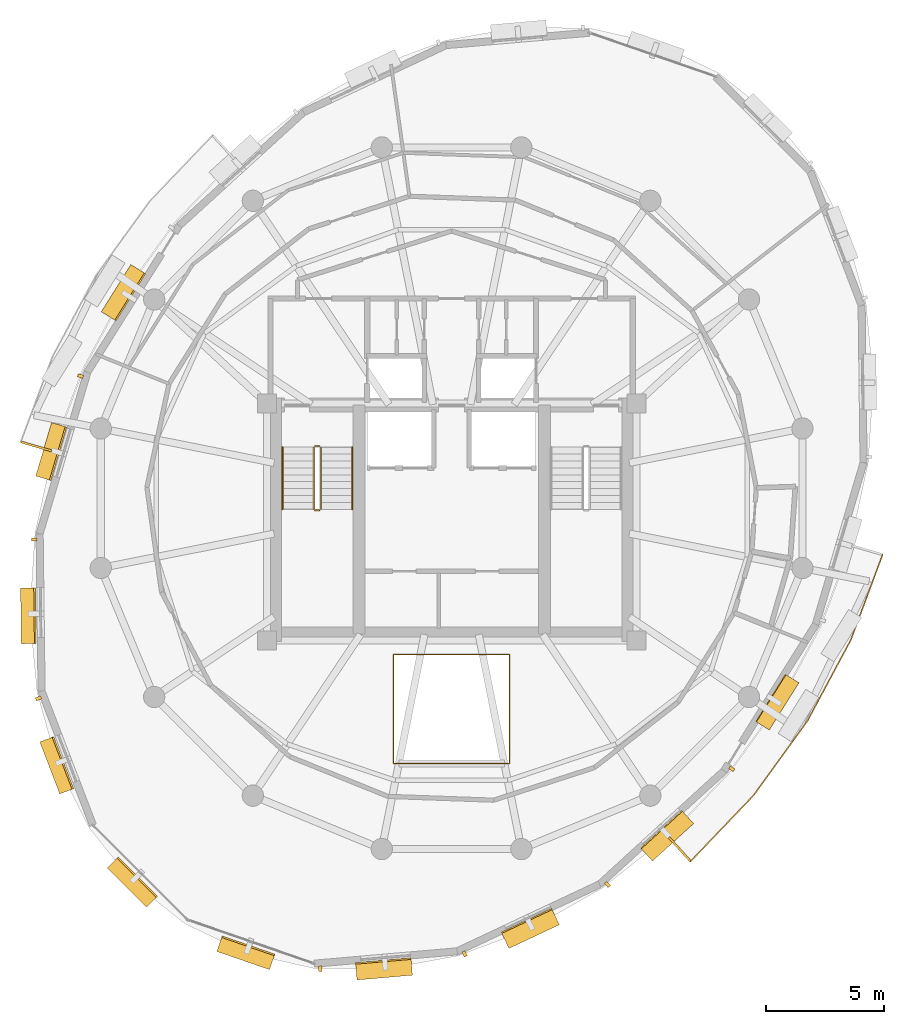
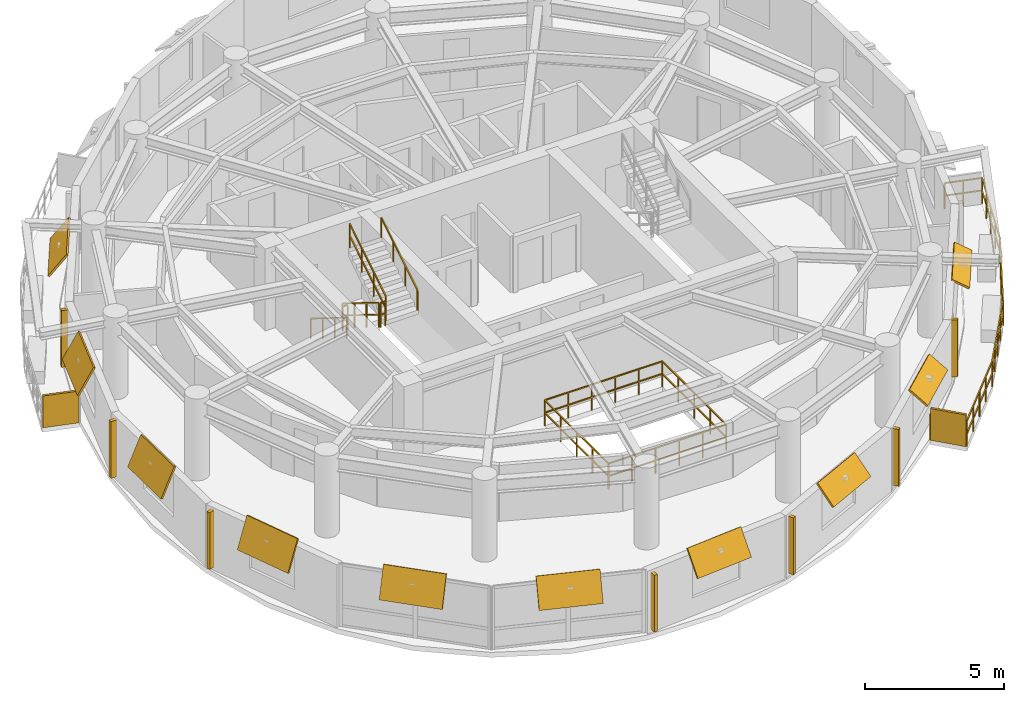
# One storey, part 10 of 11: 19 shading devices, 8 railings.
"""IFC4 building model written with IfcOpenShell, lengths in metres."""

from ifc_helpers import new_model, si_unit, direction, frame, origin, origin_2d, place, context, subcontext, project, spatial, rectangle, extrude, material, layer, layer_set, type_object, element, save


model = new_model("IFC4")

# Units and contexts
model_context = context("Model", 3, precision=1e-05, world=origin(), true_north=direction((0.0, 1.0)))
body_context = subcontext(model_context, "Body", "Model", "MODEL_VIEW")
ifc_project = project(units=[si_unit("LENGTHUNIT", "METRE"), si_unit("AREAUNIT", "SQUARE_METRE"), si_unit("VOLUMEUNIT", "CUBIC_METRE"), si_unit("PLANEANGLEUNIT", "RADIAN"), si_unit("MASSUNIT", "GRAM", prefix="KILO"), si_unit("THERMODYNAMICTEMPERATUREUNIT", "KELVIN"), si_unit("POWERUNIT", "WATT")], contexts=[model_context])

# Site, building, storey
site_placement = place(None, origin())
site = spatial("IfcSite", under=ifc_project, at=site_placement, CompositionType="ELEMENT")
building_placement = place(site_placement, origin())
building = spatial("IfcBuilding", under=site, at=building_placement, Name="Ocrelia Relay Tower", CompositionType="ELEMENT")
storey_placement = place(building_placement, frame((0.0, 0.0, 270.0)))
storey = spatial("IfcBuildingStorey", under=building, at=storey_placement, Name="L67", CompositionType="ELEMENT", Elevation=270.0)

# Railings
ifc_material_1 = material(Name="Steel S355 balustrade", Category="steel")
railing_type_1 = type_object("IfcRailingType", Name="RL-EXT-GUARD-1150", PredefinedType="GUARDRAIL", material=ifc_material_1)
railing_1_placement = place(storey_placement, frame((50.859130859375, 24.009033203125, 0.0)))
element("IfcRailing", 1, at=railing_1_placement, inside=storey, type_object=railing_type_1, Name="L67 Loggia Balcony Guard Rail B2", PredefinedType="GUARDRAIL", context=body_context, shape_type="SweptSolid", body=[
    extrude(rectangle(XDim=0.048095703125, YDim=0.048095703125, at=origin_2d()), frame((0.0, 0.0, 1.1259765625), z_axis=(0.95948817426, -0.281748901426, 0.0), x_axis=(0.281748901426, 0.95948817426, 0.0)), (0.0, 0.0, 1.0), 1.393310546875),
    extrude(rectangle(XDim=0.048095703125, YDim=0.048095703125, at=origin_2d()), frame((0.0, 0.0, 0.574951171875), z_axis=(0.95948817426, -0.281748901426, 0.0), x_axis=(0.281748901426, 0.95948817426, 0.0)), (0.0, 0.0, 1.0), 1.393310546875),
    extrude(rectangle(XDim=0.048095703125, YDim=0.048095703125, at=origin_2d()), frame((1.3369140625, -0.392578125, 1.1259765625), z_axis=(-0.348684374096, -0.937240207877, 0.0), x_axis=(0.937240207877, -0.348684374096, 0.0)), (0.0, 0.0, 1.0), 1.920654296875),
    extrude(rectangle(XDim=0.048095703125, YDim=0.048095703125, at=origin_2d()), frame((1.3369140625, -0.392578125, 0.574951171875), z_axis=(-0.348684374096, -0.937240207877, 0.0), x_axis=(0.937240207877, -0.348684374096, 0.0)), (0.0, 0.0, 1.0), 1.920654296875),
    extrude(rectangle(XDim=0.048095703125, YDim=0.048095703125, at=origin_2d()), frame((0.667236328125, -2.192626953125, 1.1259765625), z_axis=(-0.348754482201, -0.937214122357, 0.0), x_axis=(0.937214122357, -0.348754482201, 0.0)), (0.0, 0.0, 1.0), 1.9208984375),
    extrude(rectangle(XDim=0.048095703125, YDim=0.048095703125, at=origin_2d()), frame((0.667236328125, -2.192626953125, 0.574951171875), z_axis=(-0.348754482201, -0.937214122357, 0.0), x_axis=(0.937214122357, -0.348754482201, 0.0)), (0.0, 0.0, 1.0), 1.9208984375),
    extrude(rectangle(XDim=0.048095703125, YDim=0.048095703125, at=origin_2d()), frame((-0.002685546875, -3.992919921875, 1.1259765625), z_axis=(-0.472591384212, -0.881281670959, 0.0), x_axis=(0.881281670959, -0.472591384212, 0.0)), (0.0, 0.0, 1.0), 3.8818359375),
    extrude(rectangle(XDim=0.048095703125, YDim=0.048095703125, at=origin_2d()), frame((-0.002685546875, -3.992919921875, 0.574951171875), z_axis=(-0.472591384212, -0.881281670959, 0.0), x_axis=(0.881281670959, -0.472591384212, 0.0)), (0.0, 0.0, 1.0), 3.8818359375),
    extrude(rectangle(XDim=0.048095703125, YDim=0.048095703125, at=origin_2d()), frame((-1.837158203125, -7.413818359375, 1.1259765625), z_axis=(-0.58631916506, -0.810080142136, 0.0), x_axis=(0.810080142136, -0.58631916506, 0.0)), (0.0, 0.0, 1.0), 3.882080078125),
    extrude(rectangle(XDim=0.048095703125, YDim=0.048095703125, at=origin_2d()), frame((-1.837158203125, -7.413818359375, 0.574951171875), z_axis=(-0.58631916506, -0.810080142136, 0.0), x_axis=(0.810080142136, -0.58631916506, 0.0)), (0.0, 0.0, 1.0), 3.882080078125),
    extrude(rectangle(XDim=0.048095703125, YDim=0.048095703125, at=origin_2d()), frame((-4.11328125, -10.55859375, 1.1259765625), z_axis=(-0.690780996673, -0.723064046012, 0.0), x_axis=(0.723064046012, -0.690780996673, 0.0)), (0.0, 0.0, 1.0), 1.9208984375),
    extrude(rectangle(XDim=0.048095703125, YDim=0.048095703125, at=origin_2d()), frame((-4.11328125, -10.55859375, 0.574951171875), z_axis=(-0.690780996673, -0.723064046012, 0.0), x_axis=(0.723064046012, -0.690780996673, 0.0)), (0.0, 0.0, 1.0), 1.9208984375),
    extrude(rectangle(XDim=0.048095703125, YDim=0.048095703125, at=origin_2d()), frame((-5.440185546875, -11.947509765625, 1.1259765625), z_axis=(-0.690778029308, -0.72306688088, 0.0), x_axis=(0.72306688088, -0.690778029308, 0.0)), (0.0, 0.0, 1.0), 1.92041015625),
    extrude(rectangle(XDim=0.048095703125, YDim=0.048095703125, at=origin_2d()), frame((-5.440185546875, -11.947509765625, 0.574951171875), z_axis=(-0.690778029308, -0.72306688088, 0.0), x_axis=(0.72306688088, -0.690778029308, 0.0)), (0.0, 0.0, 1.0), 1.92041015625),
    extrude(rectangle(XDim=0.048095703125, YDim=0.048095703125, at=origin_2d()), frame((-6.766845703125, -13.336181640625, 1.1259765625), z_axis=(-0.672759991907, 0.739860793183, 0.0), x_axis=(-0.739860793183, -0.672759991907, 0.0)), (0.0, 0.0, 1.0), 1.3935546875),
    extrude(rectangle(XDim=0.048095703125, YDim=0.048095703125, at=origin_2d()), frame((-6.766845703125, -13.336181640625, 0.574951171875), z_axis=(-0.672759991907, 0.739860793183, 0.0), x_axis=(-0.739860793183, -0.672759991907, 0.0)), (0.0, 0.0, 1.0), 1.3935546875),
    extrude(rectangle(XDim=0.0419921875, YDim=0.0419921875, at=origin_2d()), origin(), (0.0, 0.0, 1.0), 1.101806640625),
    extrude(rectangle(XDim=0.0419921875, YDim=0.0419921875, at=origin_2d()), frame((0.66845703125, -0.1962890625, 0.0)), (0.0, 0.0, 1.0), 1.101806640625),
    extrude(rectangle(XDim=0.0419921875, YDim=0.0419921875, at=origin_2d()), frame((1.3369140625, -0.392578125, 0.0)), (0.0, 0.0, 1.0), 1.101806640625),
    extrude(rectangle(XDim=0.0419921875, YDim=0.0419921875, at=origin_2d()), frame((1.001953125, -1.29248046875, 0.0)), (0.0, 0.0, 1.0), 1.101806640625),
    extrude(rectangle(XDim=0.0419921875, YDim=0.0419921875, at=origin_2d()), frame((0.667236328125, -2.192626953125, 0.0)), (0.0, 0.0, 1.0), 1.101806640625),
    extrude(rectangle(XDim=0.0419921875, YDim=0.0419921875, at=origin_2d()), frame((0.332275390625, -3.0927734375, 0.0)), (0.0, 0.0, 1.0), 1.101806640625),
    extrude(rectangle(XDim=0.0419921875, YDim=0.0419921875, at=origin_2d()), frame((-0.002685546875, -3.992919921875, 0.0)), (0.0, 0.0, 1.0), 1.101806640625),
    extrude(rectangle(XDim=0.0419921875, YDim=0.0419921875, at=origin_2d()), frame((-0.46142578125, -4.84814453125, 0.0)), (0.0, 0.0, 1.0), 1.101806640625),
    extrude(rectangle(XDim=0.0419921875, YDim=0.0419921875, at=origin_2d()), frame((-0.919921875, -5.703369140625, 0.0)), (0.0, 0.0, 1.0), 1.101806640625),
    extrude(rectangle(XDim=0.0419921875, YDim=0.0419921875, at=origin_2d()), frame((-1.37841796875, -6.55859375, 0.0)), (0.0, 0.0, 1.0), 1.101806640625),
    extrude(rectangle(XDim=0.0419921875, YDim=0.0419921875, at=origin_2d()), frame((-1.837158203125, -7.413818359375, 0.0)), (0.0, 0.0, 1.0), 1.101806640625),
    extrude(rectangle(XDim=0.0419921875, YDim=0.0419921875, at=origin_2d()), frame((-2.40625, -8.199951171875, 0.0)), (0.0, 0.0, 1.0), 1.101806640625),
    extrude(rectangle(XDim=0.0419921875, YDim=0.0419921875, at=origin_2d()), frame((-2.97509765625, -8.986328125, 0.0)), (0.0, 0.0, 1.0), 1.101806640625),
    extrude(rectangle(XDim=0.0419921875, YDim=0.0419921875, at=origin_2d()), frame((-3.544189453125, -9.7724609375, 0.0)), (0.0, 0.0, 1.0), 1.101806640625),
    extrude(rectangle(XDim=0.0419921875, YDim=0.0419921875, at=origin_2d()), frame((-4.11328125, -10.55859375, 0.0)), (0.0, 0.0, 1.0), 1.101806640625),
    extrude(rectangle(XDim=0.0419921875, YDim=0.0419921875, at=origin_2d()), frame((-4.77685546875, -11.2529296875, 0.0)), (0.0, 0.0, 1.0), 1.101806640625),
    extrude(rectangle(XDim=0.0419921875, YDim=0.0419921875, at=origin_2d()), frame((-5.440185546875, -11.947509765625, 0.0)), (0.0, 0.0, 1.0), 1.101806640625),
    extrude(rectangle(XDim=0.0419921875, YDim=0.0419921875, at=origin_2d()), frame((-6.103515625, -12.641845703125, 0.0)), (0.0, 0.0, 1.0), 1.101806640625),
    extrude(rectangle(XDim=0.0419921875, YDim=0.0419921875, at=origin_2d()), frame((-6.766845703125, -13.336181640625, 0.0)), (0.0, 0.0, 1.0), 1.101806640625),
    extrude(rectangle(XDim=0.0419921875, YDim=0.0419921875, at=origin_2d()), frame((-7.235595703125, -12.82080078125, 0.0)), (0.0, 0.0, 1.0), 1.101806640625),
    extrude(rectangle(XDim=0.0419921875, YDim=0.0419921875, at=origin_2d()), frame((-7.704345703125, -12.30517578125, 0.0)), (0.0, 0.0, 1.0), 1.101806640625),
])
ifc_material_2 = material(Name="Steel S355 atrium balustrade", Category="steel")
railing_type_2 = type_object("IfcRailingType", Name="RL-INT-GUARD-115", PredefinedType="GUARDRAIL", material=ifc_material_2)
railing_2_placement = place(storey_placement, frame((31.550048828125, 14.800048828125, 0.0)))
element("IfcRailing", 2, at=railing_2_placement, inside=storey, type_object=railing_type_2, Name="L67 Multi-Zone Interior Atrium Guard", PredefinedType="GUARDRAIL", context=body_context, shape_type="SweptSolid", body=[
    extrude(rectangle(XDim=0.048095703125, YDim=0.048095703125, at=origin_2d()), frame((0.0, 0.0, 1.1259765625), z_axis=(1.0, 0.0, 0.0), x_axis=(0.0, 1.0, 0.0)), (0.0, 0.0, 1.0), 4.89990234375),
    extrude(rectangle(XDim=0.048095703125, YDim=0.048095703125, at=origin_2d()), frame((0.0, 0.0, 0.574951171875), z_axis=(1.0, 0.0, 0.0), x_axis=(0.0, 1.0, 0.0)), (0.0, 0.0, 1.0), 4.89990234375),
    extrude(rectangle(XDim=0.048095703125, YDim=0.048095703125, at=origin_2d()), frame((4.89990234375, 0.0, 1.1259765625), z_axis=(0.0, 1.0, 0.0), x_axis=(-1.0, 0.0, 0.0)), (0.0, 0.0, 1.0), 4.599853515625),
    extrude(rectangle(XDim=0.048095703125, YDim=0.048095703125, at=origin_2d()), frame((4.89990234375, 0.0, 0.574951171875), z_axis=(0.0, 1.0, 0.0), x_axis=(-1.0, 0.0, 0.0)), (0.0, 0.0, 1.0), 4.599853515625),
    extrude(rectangle(XDim=0.048095703125, YDim=0.048095703125, at=origin_2d()), frame((4.89990234375, 4.599853515625, 1.1259765625), z_axis=(-1.0, 0.0, 0.0), x_axis=(0.0, -1.0, 0.0)), (0.0, 0.0, 1.0), 4.89990234375),
    extrude(rectangle(XDim=0.048095703125, YDim=0.048095703125, at=origin_2d()), frame((4.89990234375, 4.599853515625, 0.574951171875), z_axis=(-1.0, 0.0, 0.0), x_axis=(0.0, -1.0, 0.0)), (0.0, 0.0, 1.0), 4.89990234375),
    extrude(rectangle(XDim=0.048095703125, YDim=0.048095703125, at=origin_2d()), frame((0.0, 4.599853515625, 1.1259765625), z_axis=(0.0, -1.0, 0.0), x_axis=(1.0, 0.0, 0.0)), (0.0, 0.0, 1.0), 4.599853515625),
    extrude(rectangle(XDim=0.048095703125, YDim=0.048095703125, at=origin_2d()), frame((0.0, 4.599853515625, 0.574951171875), z_axis=(0.0, -1.0, 0.0), x_axis=(1.0, 0.0, 0.0)), (0.0, 0.0, 1.0), 4.599853515625),
    extrude(rectangle(XDim=0.0419921875, YDim=0.0419921875, at=origin_2d()), origin(), (0.0, 0.0, 1.0), 1.101806640625),
    extrude(rectangle(XDim=0.0419921875, YDim=0.0419921875, at=origin_2d()), frame((0.97998046875, 0.0, 0.0)), (0.0, 0.0, 1.0), 1.101806640625),
    extrude(rectangle(XDim=0.0419921875, YDim=0.0419921875, at=origin_2d()), frame((1.9599609375, 0.0, 0.0)), (0.0, 0.0, 1.0), 1.101806640625),
    extrude(rectangle(XDim=0.0419921875, YDim=0.0419921875, at=origin_2d()), frame((2.93994140625, 0.0, 0.0)), (0.0, 0.0, 1.0), 1.101806640625),
    extrude(rectangle(XDim=0.0419921875, YDim=0.0419921875, at=origin_2d()), frame((3.919921875, 0.0, 0.0)), (0.0, 0.0, 1.0), 1.101806640625),
    extrude(rectangle(XDim=0.0419921875, YDim=0.0419921875, at=origin_2d()), frame((4.89990234375, 0.0, 0.0)), (0.0, 0.0, 1.0), 1.101806640625),
    extrude(rectangle(XDim=0.0419921875, YDim=0.0419921875, at=origin_2d()), frame((4.89990234375, 1.14990234375, 0.0)), (0.0, 0.0, 1.0), 1.101806640625),
    extrude(rectangle(XDim=0.0419921875, YDim=0.0419921875, at=origin_2d()), frame((4.89990234375, 2.2998046875, 0.0)), (0.0, 0.0, 1.0), 1.101806640625),
    extrude(rectangle(XDim=0.0419921875, YDim=0.0419921875, at=origin_2d()), frame((4.89990234375, 3.449951171875, 0.0)), (0.0, 0.0, 1.0), 1.101806640625),
    extrude(rectangle(XDim=0.0419921875, YDim=0.0419921875, at=origin_2d()), frame((4.89990234375, 4.599853515625, 0.0)), (0.0, 0.0, 1.0), 1.101806640625),
    extrude(rectangle(XDim=0.0419921875, YDim=0.0419921875, at=origin_2d()), frame((3.919921875, 4.599853515625, 0.0)), (0.0, 0.0, 1.0), 1.101806640625),
    extrude(rectangle(XDim=0.0419921875, YDim=0.0419921875, at=origin_2d()), frame((2.93994140625, 4.599853515625, 0.0)), (0.0, 0.0, 1.0), 1.101806640625),
    extrude(rectangle(XDim=0.0419921875, YDim=0.0419921875, at=origin_2d()), frame((1.9599609375, 4.599853515625, 0.0)), (0.0, 0.0, 1.0), 1.101806640625),
    extrude(rectangle(XDim=0.0419921875, YDim=0.0419921875, at=origin_2d()), frame((0.97998046875, 4.599853515625, 0.0)), (0.0, 0.0, 1.0), 1.101806640625),
    extrude(rectangle(XDim=0.0419921875, YDim=0.0419921875, at=origin_2d()), frame((0.0, 4.599853515625, 0.0)), (0.0, 0.0, 1.0), 1.101806640625),
    extrude(rectangle(XDim=0.0419921875, YDim=0.0419921875, at=origin_2d()), frame((0.0, 3.449951171875, 0.0)), (0.0, 0.0, 1.0), 1.101806640625),
    extrude(rectangle(XDim=0.0419921875, YDim=0.0419921875, at=origin_2d()), frame((0.0, 2.2998046875, 0.0)), (0.0, 0.0, 1.0), 1.101806640625),
    extrude(rectangle(XDim=0.0419921875, YDim=0.0419921875, at=origin_2d()), frame((0.0, 1.14990234375, 0.0)), (0.0, 0.0, 1.0), 1.101806640625),
])
railing_type_3 = type_object("IfcRailingType", Name="RL-STAIR-GUARD", PredefinedType="GUARDRAIL", material=ifc_material_1)
railing_3_placement = place(storey_placement, frame((28.179931640625, 28.14990234375, 0.179931640625)))
element("IfcRailing", 3, at=railing_3_placement, inside=storey, type_object=railing_type_3, Name="L67 ST1 stair guard 1", PredefinedType="GUARDRAIL", context=body_context, shape_type="SweptSolid", body=[
    extrude(rectangle(XDim=0.048095703125, YDim=0.048095703125, at=origin_2d()), frame((0.0, 0.0, 1.076171875), z_axis=(0.0, -0.849610693518, 0.52741034258), x_axis=(1.0, 0.0, 0.0)), (0.0, 0.0, 1.0), 3.07177734375),
    extrude(rectangle(XDim=0.048095703125, YDim=0.048095703125, at=origin_2d()), frame((0.0, 0.0, 0.550048828125), z_axis=(0.0, -0.849610693518, 0.52741034258), x_axis=(1.0, 0.0, 0.0)), (0.0, 0.0, 1.0), 3.07177734375),
    extrude(rectangle(XDim=0.0419921875, YDim=0.0419921875, at=origin_2d()), origin(), (0.0, 0.0, 1.0), 1.052001953125),
    extrude(rectangle(XDim=0.0419921875, YDim=0.0419921875, at=origin_2d()), frame((0.0, -0.869873046875, 0.5400390625)), (0.0, 0.0, 1.0), 1.052001953125),
    extrude(rectangle(XDim=0.0419921875, YDim=0.0419921875, at=origin_2d()), frame((0.0, -1.739990234375, 1.080078125)), (0.0, 0.0, 1.0), 1.052001953125),
    extrude(rectangle(XDim=0.0419921875, YDim=0.0419921875, at=origin_2d()), frame((0.0, -2.60986328125, 1.6201171875)), (0.0, 0.0, 1.0), 1.052001953125),
])
railing_4_placement = place(storey_placement, frame((28.22998046875, 25.489990234375, 1.800048828125)))
element("IfcRailing", 4, at=railing_4_placement, inside=storey, type_object=railing_type_3, Name="L67 ST1 stair guard 2", PredefinedType="GUARDRAIL", context=body_context, shape_type="SweptSolid", body=[
    extrude(rectangle(XDim=0.048095703125, YDim=0.048095703125, at=origin_2d()), frame((0.0, 0.0, 1.076171875), z_axis=(1.0, 0.0, 0.0), x_axis=(0.0, 1.0, 0.0)), (0.0, 0.0, 1.0), 0.199951171875),
    extrude(rectangle(XDim=0.048095703125, YDim=0.048095703125, at=origin_2d()), frame((0.0, 0.0, 0.550048828125), z_axis=(1.0, 0.0, 0.0), x_axis=(0.0, 1.0, 0.0)), (0.0, 0.0, 1.0), 0.199951171875),
    extrude(rectangle(XDim=0.0419921875, YDim=0.0419921875, at=origin_2d()), origin(), (0.0, 0.0, 1.0), 1.052001953125),
    extrude(rectangle(XDim=0.0419921875, YDim=0.0419921875, at=origin_2d()), frame((0.199951171875, 0.0, 0.0)), (0.0, 0.0, 1.0), 1.052001953125),
])
railing_5_placement = place(storey_placement, frame((28.47998046875, 25.5400390625, 1.97998046875)))
element("IfcRailing", 5, at=railing_5_placement, inside=storey, type_object=railing_type_3, Name="L67 ST1 stair guard 3", PredefinedType="GUARDRAIL", context=body_context, shape_type="SweptSolid", body=[
    extrude(rectangle(XDim=0.048095703125, YDim=0.048095703125, at=origin_2d()), frame((0.0, 0.0, 1.076171875), z_axis=(0.0, 0.849610693518, 0.52741034258), x_axis=(-1.0, 0.0, 0.0)), (0.0, 0.0, 1.0), 3.07177734375),
    extrude(rectangle(XDim=0.048095703125, YDim=0.048095703125, at=origin_2d()), frame((0.0, 0.0, 0.550048828125), z_axis=(0.0, 0.849610693518, 0.52741034258), x_axis=(-1.0, 0.0, 0.0)), (0.0, 0.0, 1.0), 3.07177734375),
    extrude(rectangle(XDim=0.0419921875, YDim=0.0419921875, at=origin_2d()), origin(), (0.0, 0.0, 1.0), 1.052001953125),
    extrude(rectangle(XDim=0.0419921875, YDim=0.0419921875, at=origin_2d()), frame((0.0, 0.869873046875, 0.5400390625)), (0.0, 0.0, 1.0), 1.052001953125),
    extrude(rectangle(XDim=0.0419921875, YDim=0.0419921875, at=origin_2d()), frame((0.0, 1.739990234375, 1.080078125)), (0.0, 0.0, 1.0), 1.052001953125),
    extrude(rectangle(XDim=0.0419921875, YDim=0.0419921875, at=origin_2d()), frame((0.0, 2.60986328125, 1.6201171875)), (0.0, 0.0, 1.0), 1.052001953125),
])
railing_6_placement = place(storey_placement, frame((28.22998046875, 28.199951171875, 0.0)))
element("IfcRailing", 6, at=railing_6_placement, inside=storey, type_object=railing_type_3, Name="L67 ST1 stair guard 4", PredefinedType="GUARDRAIL", context=body_context, shape_type="SweptSolid", body=[
    extrude(rectangle(XDim=0.048095703125, YDim=0.048095703125, at=origin_2d()), frame((0.0, 0.0, 1.076171875), z_axis=(1.0, 0.0, 0.0), x_axis=(0.0, 1.0, 0.0)), (0.0, 0.0, 1.0), 0.199951171875),
    extrude(rectangle(XDim=0.048095703125, YDim=0.048095703125, at=origin_2d()), frame((0.0, 0.0, 0.550048828125), z_axis=(1.0, 0.0, 0.0), x_axis=(0.0, 1.0, 0.0)), (0.0, 0.0, 1.0), 0.199951171875),
    extrude(rectangle(XDim=0.0419921875, YDim=0.0419921875, at=origin_2d()), origin(), (0.0, 0.0, 1.0), 1.052001953125),
    extrude(rectangle(XDim=0.0419921875, YDim=0.0419921875, at=origin_2d()), frame((0.199951171875, 0.0, 0.0)), (0.0, 0.0, 1.0), 1.052001953125),
])
ifc_material_3 = material(Name="Steel S355 tubular handrail", Category="steel")
railing_type_4 = type_object("IfcRailingType", Name="RL-STAIR-HAND", PredefinedType="HANDRAIL", material=ifc_material_3)
railing_7_placement = place(storey_placement, frame((26.860107421875, 28.14990234375, 0.179931640625)))
element("IfcRailing", 7, at=railing_7_placement, inside=storey, type_object=railing_type_4, Name="L67 ST1 stair handrail 1", PredefinedType="HANDRAIL", context=body_context, shape_type="SweptSolid", body=[
    extrude(rectangle(XDim=0.048095703125, YDim=0.048095703125, at=origin_2d()), frame((0.0, 0.0, 0.8759765625), z_axis=(0.0, -0.849610693518, 0.52741034258), x_axis=(1.0, 0.0, 0.0)), (0.0, 0.0, 1.0), 3.07177734375),
    extrude(rectangle(XDim=0.0419921875, YDim=0.0419921875, at=origin_2d()), origin(), (0.0, 0.0, 1.0), 0.851806640625),
    extrude(rectangle(XDim=0.0419921875, YDim=0.0419921875, at=origin_2d()), frame((0.0, -0.869873046875, 0.5400390625)), (0.0, 0.0, 1.0), 0.851806640625),
    extrude(rectangle(XDim=0.0419921875, YDim=0.0419921875, at=origin_2d()), frame((0.0, -1.739990234375, 1.080078125)), (0.0, 0.0, 1.0), 0.851806640625),
    extrude(rectangle(XDim=0.0419921875, YDim=0.0419921875, at=origin_2d()), frame((0.0, -2.60986328125, 1.6201171875)), (0.0, 0.0, 1.0), 0.851806640625),
])
railing_8_placement = place(storey_placement, frame((29.800048828125, 25.5400390625, 1.97998046875)))
element("IfcRailing", 8, at=railing_8_placement, inside=storey, type_object=railing_type_4, Name="L67 ST1 stair handrail 2", PredefinedType="HANDRAIL", context=body_context, shape_type="SweptSolid", body=[
    extrude(rectangle(XDim=0.048095703125, YDim=0.048095703125, at=origin_2d()), frame((0.0, 0.0, 0.8759765625), z_axis=(0.0, 0.849610693518, 0.52741034258), x_axis=(-1.0, 0.0, 0.0)), (0.0, 0.0, 1.0), 3.07177734375),
    extrude(rectangle(XDim=0.0419921875, YDim=0.0419921875, at=origin_2d()), origin(), (0.0, 0.0, 1.0), 0.851806640625),
    extrude(rectangle(XDim=0.0419921875, YDim=0.0419921875, at=origin_2d()), frame((0.0, 0.869873046875, 0.5400390625)), (0.0, 0.0, 1.0), 0.851806640625),
    extrude(rectangle(XDim=0.0419921875, YDim=0.0419921875, at=origin_2d()), frame((0.0, 1.739990234375, 1.080078125)), (0.0, 0.0, 1.0), 0.851806640625),
    extrude(rectangle(XDim=0.0419921875, YDim=0.0419921875, at=origin_2d()), frame((0.0, 2.60986328125, 1.6201171875)), (0.0, 0.0, 1.0), 0.851806640625),
])

# Shading devices
ifc_material_4 = material(Name="Perforated oxide terracotta solar screen", Category="masonry")
ifc_layer_1 = layer(ifc_material_4, 0.090087890625, Name="Perforated oxide terracotta solar screen")
ifc_layer_set_1 = layer_set([ifc_layer_1], Name="Perforated oxide terracotta solar screen")
shading_device_type_1 = type_object("IfcShadingDeviceType", Name="SH-BALC-SCREEN", PredefinedType="USERDEFINED", material=ifc_layer_set_1)
for number, where, z_axis, x_axis, name in (
    (9, (16.472412109375, 28.187255859375, 0.0), (0.0, 0.0, 1.0), (-0.959488826134, 0.281746681477, 0.0), "L67 Balcony Perforated Terracotta Screen B1-2"),
    (10, (43.62353515625, 11.188232421875, 0.0), (0.0, 0.0, 1.0), (0.672647789724, -0.739962803781, 0.0), "L67 Balcony Perforated Terracotta Screen B2-1"),
):
    element("IfcShadingDevice", number, at=place(storey_placement, frame(where, z_axis=z_axis, x_axis=x_axis)), inside=storey, type_object=shading_device_type_1, Name=name, ObjectType="SCREEN", PredefinedType="USERDEFINED", context=body_context, shape_type="SweptSolid", body=[
        extrude(rectangle(XDim=1.340087890625, YDim=0.090087890625, at=origin_2d()), origin(), (0.0, 0.0, 1.0), 1.39990234375),
    ])
ifc_material_5 = material(Name="Extruded oxide terracotta vertical baguette", Category="masonry")
shading_device_type_2 = type_object("IfcShadingDeviceType", Name="SH-TERR-BAGUETTE", PredefinedType="USERDEFINED", material=ifc_material_5)
for number, where, z_axis, x_axis, name in (
    (11, (18.33740234375, 31.157958984375, 0.1298828125), (0.0, 0.0, 1.0), (-0.283321170294, -0.959025085419, 0.0), "L67 Oxide Terracotta Vertical Baguette 06"),
    (12, (16.38330078125, 24.256591796875, 0.1298828125), (0.0, 0.0, 1.0), (0.012283419714, -0.999924555954, 0.0), "L67 Oxide Terracotta Vertical Baguette 07"),
    (13, (16.56298828125, 17.55029296875, 0.1298828125), (0.0, 0.0, 1.0), (0.357841321918, -0.93378240952, 0.0), "L67 Oxide Terracotta Vertical Baguette 08"),
    (14, (28.454345703125, 6.1435546875, 0.1298828125), (0.0, 0.0, 1.0), (0.996296830381, 0.085980380164, 0.0), "L67 Oxide Terracotta Vertical Baguette 11"),
    (15, (34.550048828125, 6.767333984375, 0.1298828125), (0.0, 0.0, 1.0), (0.904850767215, 0.425728891515, 0.0), "L67 Oxide Terracotta Vertical Baguette 12"),
    (16, (40.578369140625, 9.693115234375, 0.1298828125), (0.0, 0.0, 1.0), (0.738940820004, 0.673770335152, 0.0), "L67 Oxide Terracotta Vertical Baguette 13"),
    (17, (45.825927734375, 14.576904296875, 0.1298828125), (0.0, 0.0, 1.0), (0.530659392328, 0.84758516347, 0.0), "L67 Oxide Terracotta Vertical Baguette 14"),
):
    element("IfcShadingDevice", number, at=place(storey_placement, frame(where, z_axis=z_axis, x_axis=x_axis)), inside=storey, type_object=shading_device_type_2, Name=name, ObjectType="BAGUETTE", PredefinedType="USERDEFINED", context=body_context, shape_type="SweptSolid", body=[
        extrude(rectangle(XDim=0.139892578125, YDim=0.239990234375, at=origin_2d()), origin(), (0.0, 0.0, 1.0), 2.5),
    ])
ifc_material_6 = material(Name="Extruded oxide terracotta fin", Category="masonry")
ifc_layer_2 = layer(ifc_material_6, 0.080078125, Name="Extruded oxide terracotta fin")
ifc_layer_set_2 = layer_set([ifc_layer_2], Name="Extruded oxide terracotta fin")
shading_device_type_3 = type_object("IfcShadingDeviceType", Name="SH-VISOR-FIN-DEEP", PredefinedType="USERDEFINED", material=ifc_layer_set_2)
shading_device_1_placement = place(storey_placement, frame((20.17626953125, 34.655029296875, 2.5771484375), z_axis=(-0.694725105106, 0.434956176676, 0.572861373028), x_axis=(-0.530659392328, -0.84758516347, 0.0)))
element("IfcShadingDevice", 18, at=shading_device_1_placement, inside=storey, type_object=shading_device_type_3, Name="L67 Canted Terracotta Sun-Visor Fin 05", ObjectType="FIN", PredefinedType="USERDEFINED", context=body_context, shape_type="SweptSolid", body=[
    extrude(rectangle(XDim=2.35009765625, YDim=1.16796875, at=origin_2d()), origin(), (0.0, 0.0, 1.0), 0.080078125),
])
shading_device_2_placement = place(storey_placement, frame((17.134521484375, 27.96142578125, 2.58154296875), z_axis=(-0.85012398825, 0.251148929166, 0.462831956524), x_axis=(-0.283321170294, -0.959025085419, 0.0)))
element("IfcShadingDevice", 19, at=shading_device_2_placement, inside=storey, type_object=shading_device_type_3, Name="L67 Canted Terracotta Sun-Visor Fin 06", ObjectType="FIN", PredefinedType="USERDEFINED", context=body_context, shape_type="SweptSolid", body=[
    extrude(rectangle(XDim=2.35009765625, YDim=1.2900390625, at=origin_2d()), origin(), (0.0, 0.0, 1.0), 0.080078125),
])
for number, where, z_axis, x_axis, name in (
    (20, (16.17041015625, 21.03466796875, 2.58349609375), (-0.911118939612, -0.011192500752, 0.411991511814), (0.012283419714, -0.999924555954, 0.0), "L67 Canted Terracotta Sun-Visor Fin 07"),
    (21, (17.365966796875, 14.73876953125, 2.583740234375), (-0.851052347701, -0.326137753311, 0.411514358605), (0.357841321918, -0.93378240952, 0.0), "L67 Canted Terracotta Sun-Visor Fin 08"),
):
    element("IfcShadingDevice", number, at=place(storey_placement, frame(where, z_axis=z_axis, x_axis=x_axis)), inside=storey, type_object=shading_device_type_3, Name=name, ObjectType="FIN", PredefinedType="USERDEFINED", context=body_context, shape_type="SweptSolid", body=[
        extrude(rectangle(XDim=2.35009765625, YDim=1.344970703125, at=origin_2d()), origin(), (0.0, 0.0, 1.0), 0.080078125),
    ])
shading_device_3_placement = place(storey_placement, frame((20.546875, 9.818359375, 2.582275390625), z_axis=(-0.633990106394, -0.633942503591, 0.442914717678), x_axis=(0.707080233327, -0.707133328049, 0.0)))
element("IfcShadingDevice", 22, at=shading_device_3_placement, inside=storey, type_object=shading_device_type_3, Name="L67 Canted Terracotta Sun-Visor Fin 09", ObjectType="FIN", PredefinedType="USERDEFINED", context=body_context, shape_type="SweptSolid", body=[
    extrude(rectangle(XDim=2.35009765625, YDim=1.31201171875, at=origin_2d()), origin(), (0.0, 0.0, 1.0), 0.080078125),
])
shading_device_4_placement = place(storey_placement, frame((25.32666015625, 6.84375, 2.580322265625), z_axis=(-0.283949556573, -0.820085393724, 0.496822499816), x_axis=(0.944959768573, -0.327186545839, 0.0)))
element("IfcShadingDevice", 23, at=shading_device_4_placement, inside=storey, type_object=shading_device_type_3, Name="L67 Canted Terracotta Sun-Visor Fin 10", ObjectType="FIN", PredefinedType="USERDEFINED", context=body_context, shape_type="SweptSolid", body=[
    extrude(rectangle(XDim=2.35009765625, YDim=1.2529296875, at=origin_2d()), origin(), (0.0, 0.0, 1.0), 0.080078125),
])
shading_device_5_placement = place(storey_placement, frame((31.14306640625, 6.162841796875, 2.5771484375), z_axis=(0.070542717975, -0.817413067844, 0.571716364519), x_axis=(0.996296830381, 0.085980380164, 0.0)))
element("IfcShadingDevice", 24, at=shading_device_5_placement, inside=storey, type_object=shading_device_type_3, Name="L67 Canted Terracotta Sun-Visor Fin 11", ObjectType="FIN", PredefinedType="USERDEFINED", context=body_context, shape_type="SweptSolid", body=[
    extrude(rectangle(XDim=2.35009765625, YDim=1.1689453125, at=origin_2d()), origin(), (0.0, 0.0, 1.0), 0.080078125),
])
ifc_layer_3 = layer(ifc_material_6, 0.080078125, Name="Extruded oxide terracotta fin")
ifc_layer_set_3 = layer_set([ifc_layer_3], Name="Extruded oxide terracotta fin")
shading_device_type_4 = type_object("IfcShadingDeviceType", Name="SH-VISOR-FIN-MED", PredefinedType="USERDEFINED", material=ifc_layer_set_3)
shading_device_6_placement = place(storey_placement, frame((37.3095703125, 7.8671875, 2.5732421875), z_axis=(0.316676362572, -0.673068836395, 0.668352020168), x_axis=(0.904850767215, 0.425728891515, 0.0)))
element("IfcShadingDevice", 25, at=shading_device_6_placement, inside=storey, type_object=shading_device_type_4, Name="L67 Canted Terracotta Sun-Visor Fin 12", ObjectType="FIN", PredefinedType="USERDEFINED", context=body_context, shape_type="SweptSolid", body=[
    extrude(rectangle(XDim=2.35009765625, YDim=1.051025390625, at=origin_2d()), origin(), (0.0, 0.0, 1.0), 0.080078125),
])
shading_device_7_placement = place(storey_placement, frame((43.079345703125, 11.770263671875, 2.56884765625), z_axis=(0.422553542404, -0.463425064638, 0.778900323063), x_axis=(0.738940820004, 0.673770335152, 0.0)))
element("IfcShadingDevice", 26, at=shading_device_7_placement, inside=storey, type_object=shading_device_type_4, Name="L67 Canted Terracotta Sun-Visor Fin 13", ObjectType="FIN", PredefinedType="USERDEFINED", context=body_context, shape_type="SweptSolid", body=[
    extrude(rectangle(XDim=2.35009765625, YDim=0.89697265625, at=origin_2d()), origin(), (0.0, 0.0, 1.0), 0.080078125),
])
ifc_layer_4 = layer(ifc_material_6, 0.080078125, Name="Extruded oxide terracotta fin")
ifc_layer_set_4 = layer_set([ifc_layer_4], Name="Extruded oxide terracotta fin")
shading_device_type_5 = type_object("IfcShadingDeviceType", Name="SH-VISOR-FIN-SHAL", PredefinedType="USERDEFINED", material=ifc_layer_set_4)
shading_device_8_placement = place(storey_placement, frame((47.731689453125, 17.40283203125, 2.56494140625), z_axis=(0.41027036574, -0.256863654954, 0.875042450261), x_axis=(0.530659392328, 0.84758516347, 0.0)))
element("IfcShadingDevice", 27, at=shading_device_8_placement, inside=storey, type_object=shading_device_type_5, Name="L67 Canted Terracotta Sun-Visor Fin 14", ObjectType="FIN", PredefinedType="USERDEFINED", context=body_context, shape_type="SweptSolid", body=[
    extrude(rectangle(XDim=2.35009765625, YDim=0.73193359375, at=origin_2d()), origin(), (0.0, 0.0, 1.0), 0.080078125),
])

save(model, "model.ifc")
